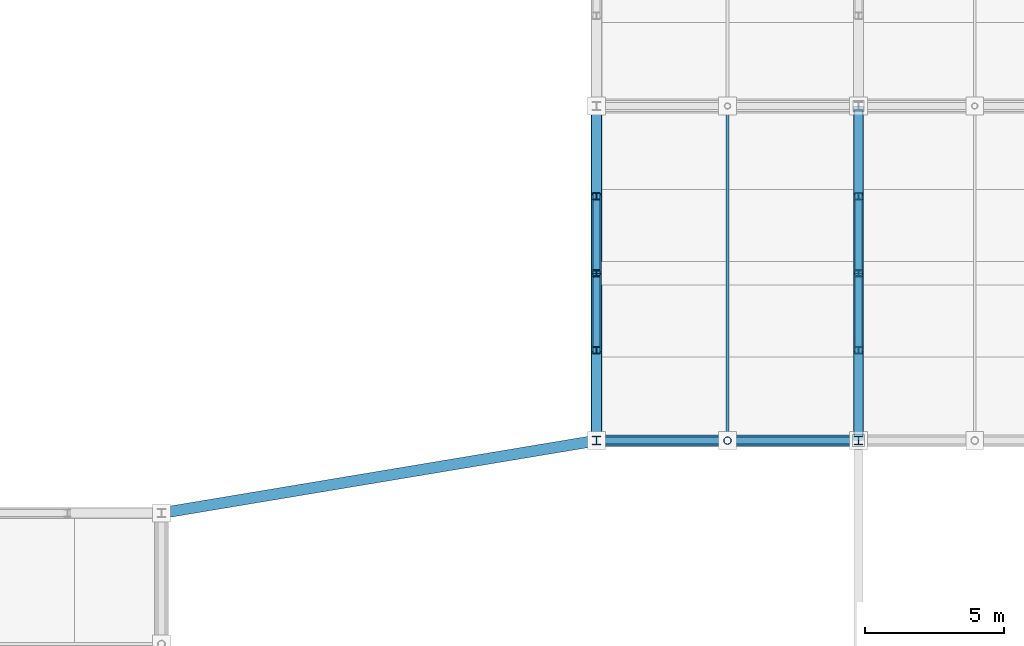
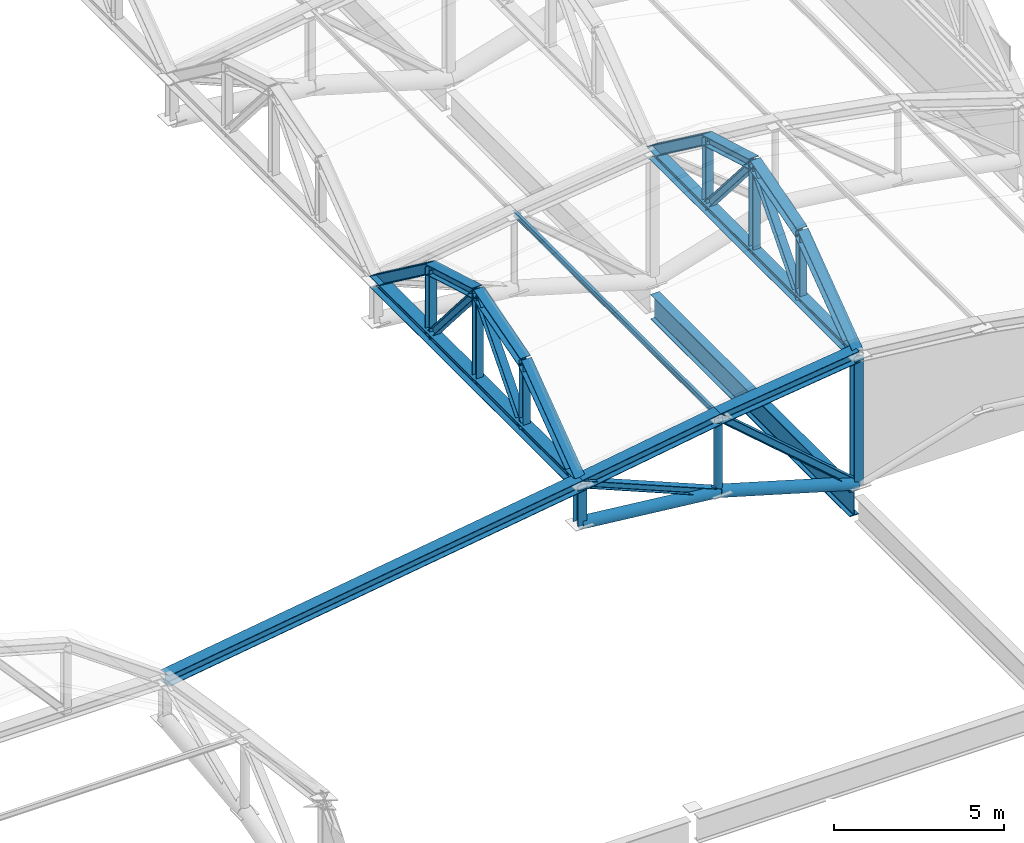
# One storey, part 59 of 117: 31 members, 1 beam.
"""IFC4 building model written with IfcOpenShell, lengths in metres."""

from ifc_helpers import new_model, si_unit, direction, frame, origin, origin_2d, place, context, subcontext, project, spatial, hollow_circle, i_section, extrude, material, material_profile, profile_set, type_object, element, save


model = new_model("IFC4")

# Units and contexts
model_context = context("Model", 3, precision=1e-05, world=origin(), true_north=direction((0.0, 1.0)))
body_context = subcontext(model_context, "Body", "Model", "MODEL_VIEW")
ifc_project = project(units=[si_unit("LENGTHUNIT", "METRE"), si_unit("AREAUNIT", "SQUARE_METRE"), si_unit("VOLUMEUNIT", "CUBIC_METRE"), si_unit("PLANEANGLEUNIT", "RADIAN"), si_unit("MASSUNIT", "GRAM", prefix="KILO")], contexts=[model_context])

# Site, building, storey
site_placement = place(None, origin())
site = spatial("IfcSite", under=ifc_project, at=site_placement, CompositionType="ELEMENT")
building_placement = place(site_placement, origin())
building = spatial("IfcBuilding", under=site, at=building_placement, Name="Kazenohara Klinker Stadium", CompositionType="ELEMENT")
storey_placement = place(building_placement, frame((0.0, 0.0, 31.199951171875)))
storey = spatial("IfcBuildingStorey", under=building, at=storey_placement, Name="RF", CompositionType="ELEMENT", Elevation=31.199951171875)

# Members
ifc_material = material(Name="Steel S355", Category="steel")
ifc_material_profile_1 = material_profile(ifc_material, i_section(OverallWidth=0.25, OverallDepth=0.25, WebThickness=0.009033203125, FlangeThickness=0.013916015625, FilletRadius=0.012939453125, at=origin_2d()), Name="H-250x250x9x14")
ifc_profile_set_1 = profile_set([ifc_material_profile_1], Name="Steel S355")
member_type_1 = type_object("IfcMemberType", Name="MEM-BRC02", PredefinedType="BRACE", material=ifc_profile_set_1)
member_1_placement = place(storey_placement, frame((175.0, 48.0, -0.02001953125), z_axis=(-0.755945561544, 0.0, 0.65463448426), x_axis=(0.0, -1.0, 0.0)))
element("IfcMember", 1, at=member_1_placement, inside=storey, type_object=member_type_1, Name="ROOF TRUSS RT-E01 web diagonal 4", PredefinedType="BRACE", context=body_context, shape_type="SweptSolid", body=[
    extrude(i_section(OverallWidth=0.25, OverallDepth=0.25, WebThickness=0.009033203125, FlangeThickness=0.013916015625, FilletRadius=0.012939453125, at=origin_2d()), origin(), (0.0, 0.0, 1.0), 6.21728515625),
])
member_2_placement = place(storey_placement, frame((170.300048828125, 48.0, 1.35009765625), z_axis=(-0.923659284192, 0.0, 0.383214726655), x_axis=(0.0, -1.0, 0.0)))
element("IfcMember", 2, at=member_2_placement, inside=storey, type_object=member_type_1, Name="ROOF TRUSS RT-E01 web diagonal 5", PredefinedType="BRACE", context=body_context, shape_type="SweptSolid", body=[
    extrude(i_section(OverallWidth=0.25, OverallDepth=0.25, WebThickness=0.009033203125, FlangeThickness=0.013916015625, FilletRadius=0.012939453125, at=origin_2d()), origin(), (0.0, 0.0, 1.0), 5.08837890625),
])
ifc_material_profile_2 = material_profile(ifc_material, i_section(OverallWidth=0.39990234375, OverallDepth=0.39990234375, WebThickness=0.012939453125, FlangeThickness=0.02099609375, FilletRadius=0.02197265625, at=origin_2d()), Name="H-400x400x13x21")
ifc_profile_set_2 = profile_set([ifc_material_profile_2], Name="Steel S355")
member_type_2 = type_object("IfcMemberType", Name="MEM-CHD01", PredefinedType="CHORD", material=ifc_profile_set_2)
member_3_placement = place(storey_placement, frame((175.0, 48.0, 4.650146484375), z_axis=(-0.99194702514, 0.0, -0.126653461524), x_axis=(0.0, -1.0, 0.0)))
element("IfcMember", 3, at=member_3_placement, inside=storey, type_object=member_type_2, Name="ROOF TRUSS RT-E01 top arched chord 4", PredefinedType="CHORD", context=body_context, shape_type="SweptSolid", body=[
    extrude(i_section(OverallWidth=0.39990234375, OverallDepth=0.39990234375, WebThickness=0.012939453125, FlangeThickness=0.02099609375, FilletRadius=0.02197265625, at=origin_2d()), origin(), (0.0, 0.0, 1.0), 4.738037109375),
])
member_4_placement = place(storey_placement, frame((170.300048828125, 48.0, 4.050048828125), z_axis=(-0.987505848374, 0.0, -0.157582357602), x_axis=(0.0, -1.0, 0.0)))
element("IfcMember", 4, at=member_4_placement, inside=storey, type_object=member_type_2, Name="ROOF TRUSS RT-E01 top arched chord 5", PredefinedType="CHORD", context=body_context, shape_type="SweptSolid", body=[
    extrude(i_section(OverallWidth=0.39990234375, OverallDepth=0.39990234375, WebThickness=0.012939453125, FlangeThickness=0.02099609375, FilletRadius=0.02197265625, at=origin_2d()), origin(), (0.0, 0.0, 1.0), 4.759521484375),
])
member_5_placement = place(storey_placement, frame((165.60009765625, 60.0, 3.300048828125), z_axis=(0.0, -1.0, 0.0), x_axis=(1.0, 0.0, 0.0)))
element("IfcMember", 5, at=member_5_placement, inside=storey, type_object=member_type_2, Name="Inner tension ring chord TC01 segment 23", PredefinedType="CHORD", context=body_context, shape_type="SweptSolid", body=[
    extrude(i_section(OverallWidth=0.39990234375, OverallDepth=0.39990234375, WebThickness=0.012939453125, FlangeThickness=0.02099609375, FilletRadius=0.02197265625, at=origin_2d()), origin(), (0.0, 0.0, 1.0), 12.0),
])
member_6_placement = place(storey_placement, frame((165.60009765625, 48.0, 3.300048828125), z_axis=(-0.986393089387, -0.164403993896, 0.0), x_axis=(0.164403993896, -0.986393089387, 0.0)))
element("IfcMember", 6, at=member_6_placement, inside=storey, type_object=member_type_2, Name="Inner tension ring chord TC01 segment 24", PredefinedType="CHORD", context=body_context, shape_type="SweptSolid", body=[
    extrude(i_section(OverallWidth=0.39990234375, OverallDepth=0.39990234375, WebThickness=0.012939453125, FlangeThickness=0.02099609375, FilletRadius=0.02197265625, at=origin_2d()), origin(), (0.0, 0.0, 1.0), 15.815185546875),
])
ifc_material_profile_3 = material_profile(ifc_material, i_section(OverallWidth=0.35009765625, OverallDepth=0.35009765625, WebThickness=0.011962890625, FlangeThickness=0.01904296875, FilletRadius=0.012939453125, at=origin_2d()), Name="H-350x350x12x19")
ifc_profile_set_3 = profile_set([ifc_material_profile_3], Name="Steel S355")
member_type_3 = type_object("IfcMemberType", Name="MEM-CHD02", PredefinedType="CHORD", material=ifc_profile_set_3)
member_7_placement = place(storey_placement, frame((175.0, 48.0, 4.650146484375), z_axis=(0.0, 1.0, 0.0), x_axis=(-1.0, 0.0, 0.0)))
element("IfcMember", 7, at=member_7_placement, inside=storey, type_object=member_type_3, Name="Barrel arch tie chord TC02 E-01-N3", PredefinedType="CHORD", context=body_context, shape_type="SweptSolid", body=[
    extrude(i_section(OverallWidth=0.35009765625, OverallDepth=0.35009765625, WebThickness=0.011962890625, FlangeThickness=0.01904296875, FilletRadius=0.012939453125, at=origin_2d()), origin(), (0.0, 0.0, 1.0), 12.0),
])
member_8_placement = place(storey_placement, frame((175.0, 48.0, 4.650146484375), z_axis=(0.0, 0.803567919639, 0.595213069856), x_axis=(-1.0, 0.0, 0.0)))
element("IfcMember", 8, at=member_8_placement, inside=storey, type_object=member_type_3, Name="Barrel arch top rib TC02 E-01-N3-S1", PredefinedType="CHORD", context=body_context, shape_type="SweptSolid", body=[
    extrude(i_section(OverallWidth=0.35009765625, OverallDepth=0.35009765625, WebThickness=0.011962890625, FlangeThickness=0.01904296875, FilletRadius=0.012939453125, at=origin_2d()), origin(), (0.0, 0.0, 1.0), 4.031982421875),
])
for number, where, z_axis, x_axis, name in (
    (9, (175.0, 51.239990234375, 7.050048828125), (0.0, 0.960462085918, 0.27841081429), (-1.0, 0.0, 0.0), "Barrel arch top rib TC02 E-01-N3-S2"),
    (10, (175.0, 54.0, 7.85009765625), (0.0, 0.960462085918, -0.27841081429), (-1.0, 0.0, 0.0), "Barrel arch top rib TC02 E-01-N3-S3"),
):
    element("IfcMember", number, at=place(storey_placement, frame(where, z_axis=z_axis, x_axis=x_axis)), inside=storey, type_object=member_type_3, Name=name, PredefinedType="CHORD", context=body_context, shape_type="SweptSolid", body=[
        extrude(i_section(OverallWidth=0.35009765625, OverallDepth=0.35009765625, WebThickness=0.011962890625, FlangeThickness=0.01904296875, FilletRadius=0.012939453125, at=origin_2d()), origin(), (0.0, 0.0, 1.0), 2.87353515625),
    ])
for number, where, z_axis, x_axis, name in (
    (11, (175.0, 56.760009765625, 7.050048828125), (0.0, 0.803567919639, -0.595213069856), (-1.0, 0.0, 0.0), "Barrel arch top rib TC02 E-01-N3-S4"),
    (12, (165.60009765625, 48.0, 3.300048828125), (0.0, 0.803567919639, 0.595213069856), (-1.0, 0.0, 0.0), "Barrel arch top rib TC02 E-01-N5-S1"),
):
    element("IfcMember", number, at=place(storey_placement, frame(where, z_axis=z_axis, x_axis=x_axis)), inside=storey, type_object=member_type_3, Name=name, PredefinedType="CHORD", context=body_context, shape_type="SweptSolid", body=[
        extrude(i_section(OverallWidth=0.35009765625, OverallDepth=0.35009765625, WebThickness=0.011962890625, FlangeThickness=0.01904296875, FilletRadius=0.012939453125, at=origin_2d()), origin(), (0.0, 0.0, 1.0), 4.031982421875),
    ])
for number, where, z_axis, x_axis, name in (
    (13, (165.60009765625, 51.239990234375, 5.699951171875), (0.0, 0.960462085918, 0.27841081429), (-1.0, 0.0, 0.0), "Barrel arch top rib TC02 E-01-N5-S2"),
    (14, (165.60009765625, 54.0, 6.5), (0.0, 0.960462085918, -0.27841081429), (-1.0, 0.0, 0.0), "Barrel arch top rib TC02 E-01-N5-S3"),
):
    element("IfcMember", number, at=place(storey_placement, frame(where, z_axis=z_axis, x_axis=x_axis)), inside=storey, type_object=member_type_3, Name=name, PredefinedType="CHORD", context=body_context, shape_type="SweptSolid", body=[
        extrude(i_section(OverallWidth=0.35009765625, OverallDepth=0.35009765625, WebThickness=0.011962890625, FlangeThickness=0.01904296875, FilletRadius=0.012939453125, at=origin_2d()), origin(), (0.0, 0.0, 1.0), 2.87353515625),
    ])
member_9_placement = place(storey_placement, frame((165.60009765625, 56.760009765625, 5.699951171875), z_axis=(0.0, 0.803567919639, -0.595213069856), x_axis=(-1.0, 0.0, 0.0)))
element("IfcMember", 15, at=member_9_placement, inside=storey, type_object=member_type_3, Name="Barrel arch top rib TC02 E-01-N5-S4", PredefinedType="CHORD", context=body_context, shape_type="SweptSolid", body=[
    extrude(i_section(OverallWidth=0.35009765625, OverallDepth=0.35009765625, WebThickness=0.011962890625, FlangeThickness=0.01904296875, FilletRadius=0.012939453125, at=origin_2d()), origin(), (0.0, 0.0, 1.0), 4.031982421875),
])
ifc_material_profile_4 = material_profile(ifc_material, hollow_circle(Radius=0.203125, WallThickness=0.011962890625, at=origin_2d()), Name="CHS-406.4x12")
ifc_profile_set_4 = profile_set([ifc_material_profile_4], Name="Steel S355")
member_type_4 = type_object("IfcMemberType", Name="MEM-CHD03", PredefinedType="CHORD", material=ifc_profile_set_4)
member_10_placement = place(storey_placement, frame((175.0, 48.0, -0.02001953125), z_axis=(-0.960038530088, 0.0, 0.279867863012), x_axis=(0.0, -1.0, 0.0)))
element("IfcMember", 16, at=member_10_placement, inside=storey, type_object=member_type_4, Name="ROOF TRUSS RT-E01 bottom arched chord 4", PredefinedType="CHORD", context=body_context, shape_type="SweptSolid", body=[
    extrude(hollow_circle(Radius=0.203125, WallThickness=0.011962890625, at=origin_2d()), origin(), (0.0, 0.0, 1.0), 4.8955078125),
])
member_11_placement = place(storey_placement, frame((170.300048828125, 48.0, 1.35009765625), z_axis=(-0.99438879757, 0.0, 0.105787141313), x_axis=(0.0, -1.0, 0.0)))
element("IfcMember", 17, at=member_11_placement, inside=storey, type_object=member_type_4, Name="ROOF TRUSS RT-E01 bottom arched chord 5", PredefinedType="CHORD", context=body_context, shape_type="SweptSolid", body=[
    extrude(hollow_circle(Radius=0.203125, WallThickness=0.011962890625, at=origin_2d()), origin(), (0.0, 0.0, 1.0), 4.7265625),
])
ifc_material_profile_5 = material_profile(ifc_material, i_section(OverallWidth=0.10009765625, OverallDepth=0.199951171875, WebThickness=0.005615234375, FlangeThickness=0.008056640625, FilletRadius=0.008056640625, at=origin_2d()), Name="H-200x100x5.5x8")
ifc_profile_set_5 = profile_set([ifc_material_profile_5], Name="Steel S355")
member_type_5 = type_object("IfcMemberType", Name="MEM-PUR02", PredefinedType="PURLIN", material=ifc_profile_set_5)
member_12_placement = place(storey_placement, frame((170.300048828125, 48.0, 4.070068359375), z_axis=(0.0, 1.0, 0.0), x_axis=(-1.0, 0.0, 0.0)))
element("IfcMember", 18, at=member_12_placement, inside=storey, type_object=member_type_5, Name="Canopy valley tie purlin PR02 E-01-N4", PredefinedType="PURLIN", context=body_context, shape_type="SweptSolid", body=[
    extrude(i_section(OverallWidth=0.10009765625, OverallDepth=0.199951171875, WebThickness=0.005615234375, FlangeThickness=0.008056640625, FilletRadius=0.008056640625, at=origin_2d()), origin(), (0.0, 0.0, 1.0), 12.0),
])
ifc_material_profile_6 = material_profile(ifc_material, i_section(OverallWidth=0.300048828125, OverallDepth=0.300048828125, WebThickness=0.010009765625, FlangeThickness=0.014892578125, FilletRadius=0.012939453125, at=origin_2d()), Name="H-300x300x10x15")
ifc_profile_set_6 = profile_set([ifc_material_profile_6], Name="Steel S355")
member_type_6 = type_object("IfcMemberType", Name="MEM-STR01", PredefinedType="STRUT", material=ifc_profile_set_6)
member_13_placement = place(storey_placement, frame((175.0, 48.0, -0.02001953125), z_axis=(0.0, 0.0, 1.0), x_axis=(1.0, 0.0, 0.0)))
element("IfcMember", 19, at=member_13_placement, inside=storey, type_object=member_type_6, Name="ROOF TRUSS RT-E01 web post 4", PredefinedType="STRUT", context=body_context, shape_type="SweptSolid", body=[
    extrude(i_section(OverallWidth=0.300048828125, OverallDepth=0.300048828125, WebThickness=0.010009765625, FlangeThickness=0.014892578125, FilletRadius=0.012939453125, at=origin_2d()), origin(), (0.0, 0.0, 1.0), 4.670166015625),
])
member_14_placement = place(storey_placement, frame((165.60009765625, 48.0, 1.85009765625), z_axis=(0.0, 0.0, 1.0), x_axis=(1.0, 0.0, 0.0)))
element("IfcMember", 20, at=member_14_placement, inside=storey, type_object=member_type_6, Name="ROOF TRUSS RT-E01 web post 6", PredefinedType="STRUT", context=body_context, shape_type="SweptSolid", body=[
    extrude(i_section(OverallWidth=0.300048828125, OverallDepth=0.300048828125, WebThickness=0.010009765625, FlangeThickness=0.014892578125, FilletRadius=0.012939453125, at=origin_2d()), origin(), (0.0, 0.0, 1.0), 1.449951171875),
])
ifc_material_profile_7 = material_profile(ifc_material, i_section(OverallWidth=0.25, OverallDepth=0.25, WebThickness=0.009033203125, FlangeThickness=0.013916015625, FilletRadius=0.012939453125, at=origin_2d()), Name="H-250x250x9x14")
ifc_profile_set_7 = profile_set([ifc_material_profile_7], Name="Steel S355")
member_type_7 = type_object("IfcMemberType", Name="MEM-STR02", PredefinedType="STRUT", material=ifc_profile_set_7)
member_15_placement = place(storey_placement, frame((175.0, 51.239990234375, 4.650146484375), z_axis=(0.0, 0.0, 1.0), x_axis=(1.0, 0.0, 0.0)))
element("IfcMember", 21, at=member_15_placement, inside=storey, type_object=member_type_7, Name="Barrel arch web post TS02 E-01-N3-P1", PredefinedType="STRUT", context=body_context, shape_type="SweptSolid", body=[
    extrude(i_section(OverallWidth=0.25, OverallDepth=0.25, WebThickness=0.009033203125, FlangeThickness=0.013916015625, FilletRadius=0.012939453125, at=origin_2d()), origin(), (0.0, 0.0, 1.0), 2.39990234375),
])
member_16_placement = place(storey_placement, frame((175.0, 54.0, 4.650146484375), z_axis=(0.0, 0.0, 1.0), x_axis=(1.0, 0.0, 0.0)))
element("IfcMember", 22, at=member_16_placement, inside=storey, type_object=member_type_7, Name="Barrel arch web post TS02 E-01-N3-P2", PredefinedType="STRUT", context=body_context, shape_type="SweptSolid", body=[
    extrude(i_section(OverallWidth=0.25, OverallDepth=0.25, WebThickness=0.009033203125, FlangeThickness=0.013916015625, FilletRadius=0.012939453125, at=origin_2d()), origin(), (0.0, 0.0, 1.0), 3.199951171875),
])
member_17_placement = place(storey_placement, frame((175.0, 56.760009765625, 4.650146484375), z_axis=(0.0, 0.0, 1.0), x_axis=(1.0, 0.0, 0.0)))
element("IfcMember", 23, at=member_17_placement, inside=storey, type_object=member_type_7, Name="Barrel arch web post TS02 E-01-N3-P3", PredefinedType="STRUT", context=body_context, shape_type="SweptSolid", body=[
    extrude(i_section(OverallWidth=0.25, OverallDepth=0.25, WebThickness=0.009033203125, FlangeThickness=0.013916015625, FilletRadius=0.012939453125, at=origin_2d()), origin(), (0.0, 0.0, 1.0), 2.39990234375),
])
for number, where, z_axis, x_axis, name in (
    (24, (175.0, 51.239990234375, 4.650146484375), (0.0, 0.653133887971, 0.757242447558), (-1.0, 0.0, 0.0), "Barrel arch web diagonal TS02 E-01-N3-D1"),
    (25, (175.0, 56.760009765625, 4.650146484375), (0.0, -0.653133887971, 0.757242447558), (1.0, 0.0, 0.0), "Barrel arch web diagonal TS02 E-01-N3-D2"),
):
    element("IfcMember", number, at=place(storey_placement, frame(where, z_axis=z_axis, x_axis=x_axis)), inside=storey, type_object=member_type_7, Name=name, PredefinedType="STRUT", context=body_context, shape_type="SweptSolid", body=[
        extrude(i_section(OverallWidth=0.25, OverallDepth=0.25, WebThickness=0.009033203125, FlangeThickness=0.013916015625, FilletRadius=0.012939453125, at=origin_2d()), origin(), (0.0, 0.0, 1.0), 4.225830078125),
    ])
member_18_placement = place(storey_placement, frame((165.60009765625, 51.239990234375, 3.300048828125), z_axis=(0.0, 0.0, 1.0), x_axis=(1.0, 0.0, 0.0)))
element("IfcMember", 26, at=member_18_placement, inside=storey, type_object=member_type_7, Name="Barrel arch web post TS02 E-01-N5-P1", PredefinedType="STRUT", context=body_context, shape_type="SweptSolid", body=[
    extrude(i_section(OverallWidth=0.25, OverallDepth=0.25, WebThickness=0.009033203125, FlangeThickness=0.013916015625, FilletRadius=0.012939453125, at=origin_2d()), origin(), (0.0, 0.0, 1.0), 2.39990234375),
])
member_19_placement = place(storey_placement, frame((165.60009765625, 54.0, 3.300048828125), z_axis=(0.0, 0.0, 1.0), x_axis=(1.0, 0.0, 0.0)))
element("IfcMember", 27, at=member_19_placement, inside=storey, type_object=member_type_7, Name="Barrel arch web post TS02 E-01-N5-P2", PredefinedType="STRUT", context=body_context, shape_type="SweptSolid", body=[
    extrude(i_section(OverallWidth=0.25, OverallDepth=0.25, WebThickness=0.009033203125, FlangeThickness=0.013916015625, FilletRadius=0.012939453125, at=origin_2d()), origin(), (0.0, 0.0, 1.0), 3.199951171875),
])
member_20_placement = place(storey_placement, frame((165.60009765625, 56.760009765625, 3.300048828125), z_axis=(0.0, 0.0, 1.0), x_axis=(1.0, 0.0, 0.0)))
element("IfcMember", 28, at=member_20_placement, inside=storey, type_object=member_type_7, Name="Barrel arch web post TS02 E-01-N5-P3", PredefinedType="STRUT", context=body_context, shape_type="SweptSolid", body=[
    extrude(i_section(OverallWidth=0.25, OverallDepth=0.25, WebThickness=0.009033203125, FlangeThickness=0.013916015625, FilletRadius=0.012939453125, at=origin_2d()), origin(), (0.0, 0.0, 1.0), 2.39990234375),
])
for number, where, z_axis, x_axis, name in (
    (29, (165.60009765625, 51.239990234375, 3.300048828125), (0.0, 0.653133887971, 0.757242447558), (-1.0, 0.0, 0.0), "Barrel arch web diagonal TS02 E-01-N5-D1"),
    (30, (165.60009765625, 56.760009765625, 3.300048828125), (0.0, -0.653133887971, 0.757242447558), (1.0, 0.0, 0.0), "Barrel arch web diagonal TS02 E-01-N5-D2"),
):
    element("IfcMember", number, at=place(storey_placement, frame(where, z_axis=z_axis, x_axis=x_axis)), inside=storey, type_object=member_type_7, Name=name, PredefinedType="STRUT", context=body_context, shape_type="SweptSolid", body=[
        extrude(i_section(OverallWidth=0.25, OverallDepth=0.25, WebThickness=0.009033203125, FlangeThickness=0.013916015625, FilletRadius=0.012939453125, at=origin_2d()), origin(), (0.0, 0.0, 1.0), 4.225830078125),
    ])
ifc_material_profile_8 = material_profile(ifc_material, hollow_circle(Radius=0.1337890625, WallThickness=0.009033203125, at=origin_2d()), Name="CHS-267.4x9")
ifc_profile_set_8 = profile_set([ifc_material_profile_8], Name="Steel S355")
member_type_8 = type_object("IfcMemberType", Name="MEM-STR03", PredefinedType="STRUT", material=ifc_profile_set_8)
member_21_placement = place(storey_placement, frame((170.300048828125, 48.0, 1.35009765625), z_axis=(0.0, 0.0, 1.0), x_axis=(1.0, 0.0, 0.0)))
element("IfcMember", 31, at=member_21_placement, inside=storey, type_object=member_type_8, Name="ROOF TRUSS RT-E01 web post 5", PredefinedType="STRUT", context=body_context, shape_type="SweptSolid", body=[
    extrude(hollow_circle(Radius=0.1337890625, WallThickness=0.009033203125, at=origin_2d()), origin(), (0.0, 0.0, 1.0), 2.699951171875),
])

# Beam
ifc_material_profile_9 = material_profile(ifc_material, i_section(OverallWidth=0.300048828125, OverallDepth=0.89990234375, WebThickness=0.01611328125, FlangeThickness=0.028076171875, FilletRadius=0.02197265625, at=origin_2d()), Name="H-900x300x16x28")
ifc_profile_set_9 = profile_set([ifc_material_profile_9], Name="Steel S355")
beam_type = type_object("IfcBeamType", Name="RING-RB01", PredefinedType="USERDEFINED", material=ifc_profile_set_9)
beam_placement = place(storey_placement, frame((175.0, 48.139892578125, -0.820068359375), z_axis=(0.0, 1.0, 0.0), x_axis=(-1.0, 0.0, 0.0)))
element("IfcBeam", 32, at=beam_placement, inside=storey, type_object=beam_type, Name="Roof ring beam RB01 E-IN E-F", ObjectType="RING BEAM", PredefinedType="USERDEFINED", context=body_context, shape_type="SweptSolid", body=[
    extrude(i_section(OverallWidth=0.300048828125, OverallDepth=0.89990234375, WebThickness=0.01611328125, FlangeThickness=0.028076171875, FilletRadius=0.02197265625, at=origin_2d()), origin(), (0.0, 0.0, 1.0), 11.72021484375),
])

save(model, "model.ifc")
